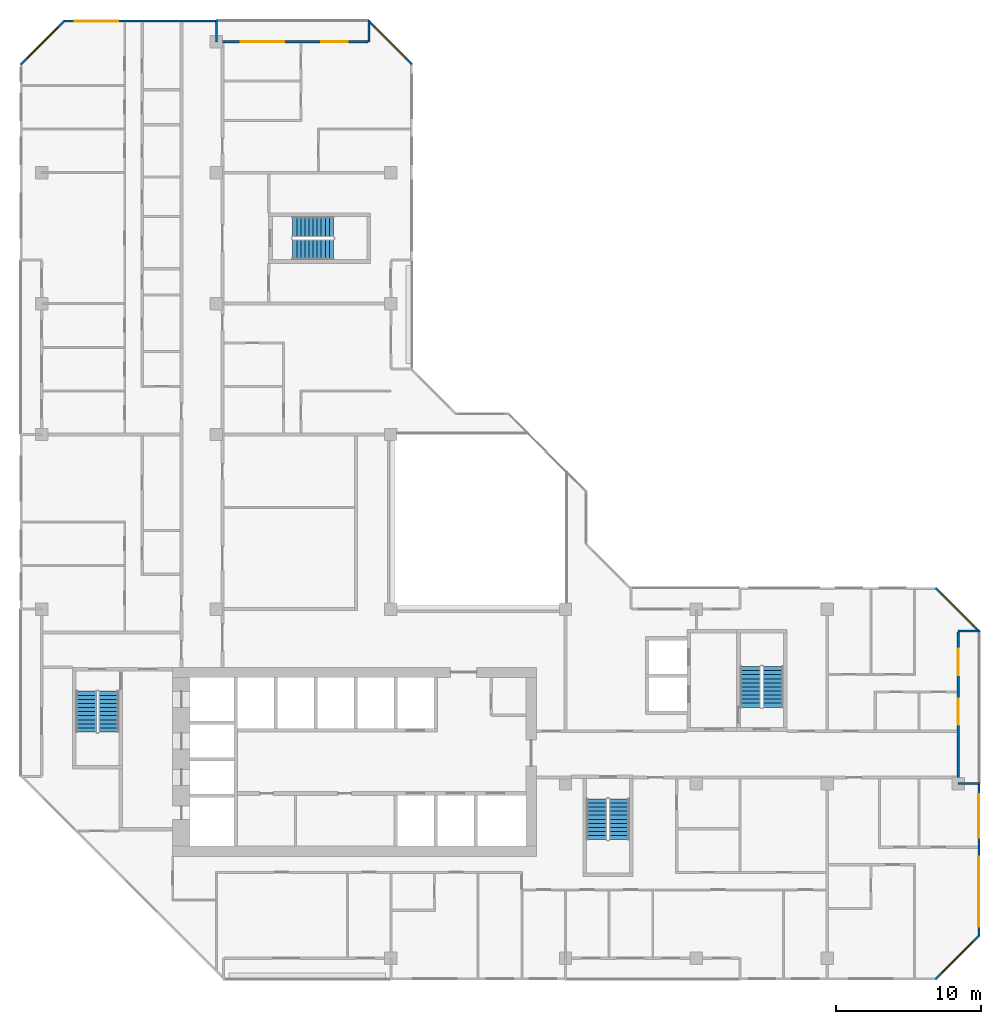
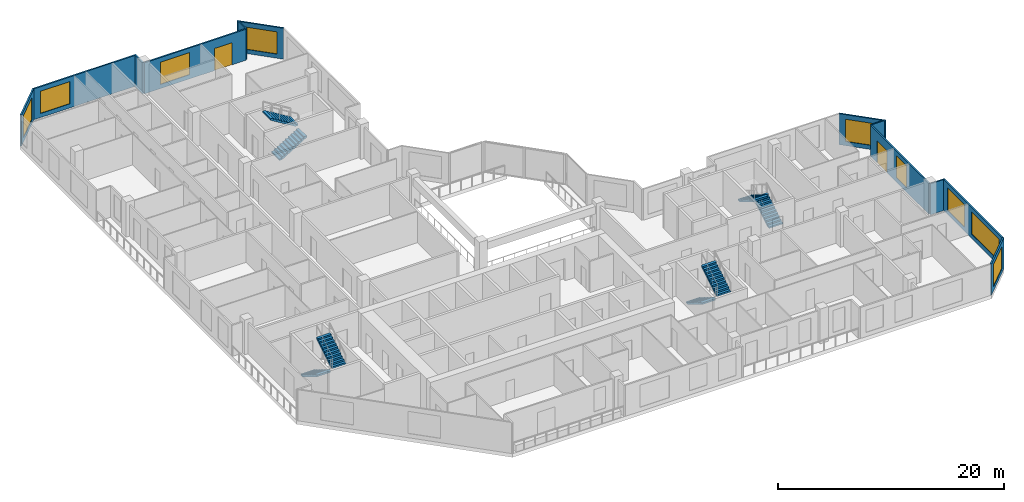
# One storey, part 12 of 14: 12 walls, 9 windows, 8 stair flights, 2 doors, 11 openings, 4 elements without a shape of their own.
"""IFC4 building model written with IfcOpenShell, lengths in metres."""

from ifc_helpers import new_model, si_unit, direction, frame, frame_2d, origin, place, context, subcontext, project, spatial, polyline, rectangle, outline, extrude, material, layer, layer_set, type_object, element, fill, aggregate, save


model = new_model("IFC4")

# Units and contexts
model_context = context("Model", 3, precision=1e-05, world=origin(), true_north=direction((0.0, 1.0)))
body_context = subcontext(model_context, "Body", "Model", "MODEL_VIEW")
ifc_project = project(units=[si_unit("LENGTHUNIT", "METRE"), si_unit("AREAUNIT", "SQUARE_METRE"), si_unit("VOLUMEUNIT", "CUBIC_METRE"), si_unit("PLANEANGLEUNIT", "RADIAN"), si_unit("MASSUNIT", "GRAM", prefix="KILO")], contexts=[model_context])

# Site, building, storey
site_placement = place(None, origin())
site = spatial("IfcSite", under=ifc_project, at=site_placement, CompositionType="ELEMENT")
building_placement = place(site_placement, origin())
building = spatial("IfcBuilding", under=site, at=building_placement, Name="Chenar Terraces", CompositionType="ELEMENT")
storey_placement = place(building_placement, frame((0.0, 0.0, 230.39990234375)))
storey = spatial("IfcBuildingStorey", under=building, at=storey_placement, Name="L54", CompositionType="ELEMENT", Elevation=230.39990234375)

# Wall, opening, window
ifc_material_1 = material(Name="Aluminium framed glazing", Category="aluminium")
ifc_layer_1 = layer(ifc_material_1, 0.14990234375)
ifc_layer_set_1 = layer_set([ifc_layer_1], Name="Aluminium framed glazing")
wall_type_1 = type_object("IfcWallType", Name="Glazed flush facade wall 150", PredefinedType="SOLIDWALL", material=ifc_layer_set_1)
wall_1_placement = place(storey_placement, frame((11.925048828125, 64.425048828125, 0.0), z_axis=(0.0, 0.0, 1.0), x_axis=(-1.0, 0.0, 0.0)))
wall_1 = element("IfcWall", 1, at=wall_1_placement, inside=storey, type_object=wall_type_1, Name="Glazed flush facade wall", PredefinedType="SOLIDWALL", context=body_context, shape_type="SweptSolid", body=[
    extrude(rectangle(XDim=10.425048828125, YDim=0.14990234375, at=frame_2d((5.21240234375, 0.0))), origin(), (0.0, 0.0, 1.0), 3.35009765625),
])
opening_1_placement = place(wall_1_placement, frame((6.675048828125, 0.0, 0.449951171875)))
opening_1 = element("IfcOpeningElement", 2, at=opening_1_placement, cuts=wall_1, Name="Opening W300x240", PredefinedType="OPENING", context=body_context, shape_type="SweptSolid", body=[
    extrude(rectangle(XDim=3.0, YDim=2.39990234375, at=frame_2d((1.5, 1.199951171875))), frame((0.0, 0.0849609375, 0.0), z_axis=(0.0, -1.0, 0.0), x_axis=(1.0, 0.0, 0.0)), (0.0, 0.0, 1.0), 0.169921875),
])
ifc_material_2 = material(Name="Low emissivity double glazing, aluminium frame", Category="aluminium")
window_type_1 = type_object("IfcWindowType", Name="Fixed light 3000 x 2400", PartitioningType="SINGLE_PANEL", PredefinedType="WINDOW", material=ifc_material_2)
window_1_placement = place(opening_1_placement, origin())
window_1 = element("IfcWindow", 3, at=window_1_placement, inside=storey, type_object=window_type_1, Name="Window", OverallHeight=2.39990234375, OverallWidth=3.0, PartitioningType="SINGLE_PANEL", PredefinedType="WINDOW", context=body_context, shape_type="SweptSolid", body=[
    extrude(rectangle(XDim=3.0, YDim=2.39990234375, at=frame_2d((1.5, 1.199951171875))), frame((0.0, 0.030029296875, 0.0), z_axis=(0.0, -1.0, 0.0), x_axis=(1.0, 0.0, 0.0)), (0.0, 0.0, 1.0), 0.06005859375),
])
fill(opening_1, window_1)

# Wall, openings, windows
wall_2_placement = place(storey_placement, frame((64.425048828125, 1.5, 0.0), z_axis=(0.0, 0.0, 1.0), x_axis=(0.0, 1.0, 0.0)))
wall_2 = element("IfcWall", 4, at=wall_2_placement, inside=storey, type_object=wall_type_1, Name="Glazed flush facade wall", PredefinedType="SOLIDWALL", context=body_context, shape_type="SweptSolid", body=[
    extrude(rectangle(XDim=10.425048828125, YDim=0.14990234375, at=frame_2d((5.21240234375, 0.0))), origin(), (0.0, 0.0, 1.0), 3.35009765625),
])
opening_2_placement = place(wall_2_placement, frame((0.66259765625, 0.0, 0.449951171875)))
opening_2 = element("IfcOpeningElement", 5, at=opening_2_placement, cuts=wall_2, Name="Opening W480x240", PredefinedType="OPENING", context=body_context, shape_type="SweptSolid", body=[
    extrude(rectangle(XDim=4.800048828125, YDim=2.39990234375, at=frame_2d((2.39990234375, 1.199951171875))), frame((0.0, 0.0849609375, 0.0), z_axis=(0.0, -1.0, 0.0), x_axis=(1.0, 0.0, 0.0)), (0.0, 0.0, 1.0), 0.169921875),
])
opening_3_placement = place(wall_2_placement, frame((6.77490234375, 0.0, 0.449951171875)))
opening_3 = element("IfcOpeningElement", 6, at=opening_3_placement, cuts=wall_2, Name="Opening W300x240", PredefinedType="OPENING", context=body_context, shape_type="SweptSolid", body=[
    extrude(rectangle(XDim=3.0, YDim=2.39990234375, at=frame_2d((1.5, 1.199951171875))), frame((0.0, 0.0849609375, 0.0), z_axis=(0.0, -1.0, 0.0), x_axis=(1.0, 0.0, 0.0)), (0.0, 0.0, 1.0), 0.169921875),
])
window_2_placement = place(opening_3_placement, origin())
window_2 = element("IfcWindow", 7, at=window_2_placement, inside=storey, type_object=window_type_1, Name="Window", OverallHeight=2.39990234375, OverallWidth=3.0, PartitioningType="SINGLE_PANEL", PredefinedType="WINDOW", context=body_context, shape_type="SweptSolid", body=[
    extrude(rectangle(XDim=3.0, YDim=2.39990234375, at=frame_2d((1.5, 1.199951171875))), frame((0.0, 0.030029296875, 0.0), z_axis=(0.0, -1.0, 0.0), x_axis=(1.0, 0.0, 0.0)), (0.0, 0.0, 1.0), 0.06005859375),
])
fill(opening_3, window_2)
ifc_material_3 = material(Name="Low emissivity double glazing, aluminium frame", Category="aluminium")
window_type_2 = type_object("IfcWindowType", Name="Fixed light 4800 x 2400", PartitioningType="SINGLE_PANEL", PredefinedType="WINDOW", material=ifc_material_3)
window_3_placement = place(opening_2_placement, origin())
window_3 = element("IfcWindow", 8, at=window_3_placement, inside=storey, type_object=window_type_2, Name="Window", OverallHeight=2.39990234375, OverallWidth=4.800048828125, PartitioningType="SINGLE_PANEL", PredefinedType="WINDOW", context=body_context, shape_type="SweptSolid", body=[
    extrude(rectangle(XDim=4.800048828125, YDim=2.39990234375, at=frame_2d((2.39990234375, 1.199951171875))), frame((0.0, 0.030029296875, 0.0), z_axis=(0.0, -1.0, 0.0), x_axis=(1.0, 0.0, 0.0)), (0.0, 0.0, 1.0), 0.06005859375),
])
fill(opening_2, window_3)

# Wall, openings, window, door
ifc_material_4 = material(Name="Aluminium framed glazing", Category="aluminium")
ifc_layer_2 = layer(ifc_material_4, 0.14990234375)
ifc_layer_set_2 = layer_set([ifc_layer_2], Name="Aluminium framed glazing")
wall_type_2 = type_object("IfcWallType", Name="Glazed loggia back wall 150", PredefinedType="SOLIDWALL", material=ifc_layer_set_2)
wall_3_placement = place(storey_placement, frame((22.425048828125, 63.0, 0.0), z_axis=(0.0, 0.0, 1.0), x_axis=(-1.0, 0.0, 0.0)))
wall_3 = element("IfcWall", 9, at=wall_3_placement, inside=storey, type_object=wall_type_2, Name="Glazed loggia back wall", PredefinedType="SOLIDWALL", context=body_context, shape_type="SweptSolid", body=[
    extrude(rectangle(XDim=10.35009765625, YDim=0.14990234375, at=frame_2d((5.175048828125, 0.0))), origin(), (0.0, 0.0, 1.0), 3.35009765625),
])
opening_4_placement = place(wall_3_placement, frame((1.39990234375, 0.0, 0.0)))
opening_4 = element("IfcOpeningElement", 10, at=opening_4_placement, cuts=wall_3, Name="Opening DL54-G2", PredefinedType="OPENING", context=body_context, shape_type="SweptSolid", body=[
    extrude(rectangle(XDim=1.800048828125, YDim=2.39990234375, at=frame_2d((0.89990234375, 1.199951171875))), frame((0.0, 0.0849609375, 0.0), z_axis=(0.0, -1.0, 0.0), x_axis=(1.0, 0.0, 0.0)), (0.0, 0.0, 1.0), 0.169921875),
])
opening_5_placement = place(wall_3_placement, frame((5.75, 0.0, 0.449951171875)))
opening_5 = element("IfcOpeningElement", 11, at=opening_5_placement, cuts=wall_3, Name="Opening W300x240", PredefinedType="OPENING", context=body_context, shape_type="SweptSolid", body=[
    extrude(rectangle(XDim=3.0, YDim=2.39990234375, at=frame_2d((1.5, 1.199951171875))), frame((0.0, 0.0849609375, 0.0), z_axis=(0.0, -1.0, 0.0), x_axis=(1.0, 0.0, 0.0)), (0.0, 0.0, 1.0), 0.169921875),
])
window_4_placement = place(opening_5_placement, origin())
window_4 = element("IfcWindow", 12, at=window_4_placement, inside=storey, type_object=window_type_1, Name="Window", OverallHeight=2.39990234375, OverallWidth=3.0, PartitioningType="SINGLE_PANEL", PredefinedType="WINDOW", context=body_context, shape_type="SweptSolid", body=[
    extrude(rectangle(XDim=3.0, YDim=2.39990234375, at=frame_2d((1.5, 1.199951171875))), frame((0.0, 0.030029296875, 0.0), z_axis=(0.0, -1.0, 0.0), x_axis=(1.0, 0.0, 0.0)), (0.0, 0.0, 1.0), 0.06005859375),
])
fill(opening_5, window_4)
ifc_material_5 = material(Name="Low emissivity double glazing, aluminium frame", Category="aluminium")
door_type = type_object("IfcDoorType", Name="Loggia glazed double door 1800 x 2400", OperationType="DOUBLE_DOOR_SINGLE_SWING", PredefinedType="DOOR", material=ifc_material_5)
door_1_placement = place(opening_4_placement, frame((1.800048828125, 0.0, 0.0), z_axis=(0.0, 0.0, 1.0), x_axis=(-1.0, 0.0, 0.0)))
door_1 = element("IfcDoor", 13, at=door_1_placement, inside=storey, type_object=door_type, Name="Loggia glazed door", OperationType="DOUBLE_DOOR_SINGLE_SWING", OverallHeight=2.39990234375, OverallWidth=1.800048828125, PredefinedType="DOOR", context=body_context, shape_type="SweptSolid", body=[
    extrude(rectangle(XDim=1.800048828125, YDim=2.39990234375, at=frame_2d((0.89990234375, 1.199951171875))), frame((0.0, 0.02490234375, 0.0), z_axis=(0.0, -1.0, 0.0), x_axis=(1.0, 0.0, 0.0)), (0.0, 0.0, 1.0), 0.050048828125),
])
fill(opening_4, door_1)

wall_4_placement = place(storey_placement, frame((63.0, 12.074951171875, 0.0), z_axis=(0.0, 0.0, 1.0), x_axis=(0.0, 1.0, 0.0)))
wall_4 = element("IfcWall", 14, at=wall_4_placement, inside=storey, type_object=wall_type_2, Name="Glazed loggia back wall", PredefinedType="SOLIDWALL", context=body_context, shape_type="SweptSolid", body=[
    extrude(rectangle(XDim=10.35009765625, YDim=0.14990234375, at=frame_2d((5.175048828125, 0.0))), origin(), (0.0, 0.0, 1.0), 3.35009765625),
])
opening_6_placement = place(wall_4_placement, frame((3.97509765625, 0.0, 0.449951171875)))
opening_6 = element("IfcOpeningElement", 15, at=opening_6_placement, cuts=wall_4, Name="Opening W180x240", PredefinedType="OPENING", context=body_context, shape_type="SweptSolid", body=[
    extrude(rectangle(XDim=1.800048828125, YDim=2.39990234375, at=frame_2d((0.89990234375, 1.199951171875))), frame((0.0, 0.0849609375, 0.0), z_axis=(0.0, -1.0, 0.0), x_axis=(1.0, 0.0, 0.0)), (0.0, 0.0, 1.0), 0.169921875),
])
opening_7_placement = place(wall_4_placement, frame((7.387451171875, 0.0, 0.0)))
opening_7 = element("IfcOpeningElement", 16, at=opening_7_placement, cuts=wall_4, Name="Opening DL54-G7", PredefinedType="OPENING", context=body_context, shape_type="SweptSolid", body=[
    extrude(rectangle(XDim=1.800048828125, YDim=2.39990234375, at=frame_2d((0.89990234375, 1.199951171875))), frame((0.0, 0.0849609375, 0.0), z_axis=(0.0, -1.0, 0.0), x_axis=(1.0, 0.0, 0.0)), (0.0, 0.0, 1.0), 0.169921875),
])
ifc_material_6 = material(Name="Low emissivity double glazing, aluminium frame", Category="aluminium")
window_type_3 = type_object("IfcWindowType", Name="Fixed light 1800 x 2400", PartitioningType="SINGLE_PANEL", PredefinedType="WINDOW", material=ifc_material_6)
window_5_placement = place(opening_6_placement, origin())
window_5 = element("IfcWindow", 17, at=window_5_placement, inside=storey, type_object=window_type_3, Name="Window", OverallHeight=2.39990234375, OverallWidth=1.800048828125, PartitioningType="SINGLE_PANEL", PredefinedType="WINDOW", context=body_context, shape_type="SweptSolid", body=[
    extrude(rectangle(XDim=1.800048828125, YDim=2.39990234375, at=frame_2d((0.89990234375, 1.199951171875))), frame((0.0, 0.030029296875, 0.0), z_axis=(0.0, -1.0, 0.0), x_axis=(1.0, 0.0, 0.0)), (0.0, 0.0, 1.0), 0.06005859375),
])
fill(opening_6, window_5)
door_2_placement = place(opening_7_placement, frame((1.800048828125, 0.0, 0.0), z_axis=(0.0, 0.0, 1.0), x_axis=(-1.0, 0.0, 0.0)))
door_2 = element("IfcDoor", 18, at=door_2_placement, inside=storey, type_object=door_type, Name="Loggia glazed door", OperationType="DOUBLE_DOOR_SINGLE_SWING", OverallHeight=2.39990234375, OverallWidth=1.800048828125, PredefinedType="DOOR", context=body_context, shape_type="SweptSolid", body=[
    extrude(rectangle(XDim=1.800048828125, YDim=2.39990234375, at=frame_2d((0.89990234375, 1.199951171875))), frame((0.0, 0.02490234375, 0.0), z_axis=(0.0, -1.0, 0.0), x_axis=(1.0, 0.0, 0.0)), (0.0, 0.0, 1.0), 0.050048828125),
])
fill(opening_7, door_2)

# Walls
ifc_material_7 = material(Name="Terracotta cladding on insulated backing", Category="masonry")
ifc_layer_3 = layer(ifc_material_7, 0.14990234375)
ifc_layer_set_3 = layer_set([ifc_layer_3], Name="Terracotta cladding on insulated backing")
wall_type_3 = type_object("IfcWallType", Name="Loggia return wall 150", PredefinedType="SOLIDWALL", material=ifc_layer_set_3)
for number, where, z_axis, x_axis, name in (
    (19, (22.5, 64.5, 0.0), (0.0, 0.0, 1.0), (0.0, -1.0, 0.0), "Loggia return wall"),
    (20, (12.0, 64.5, 0.0), (0.0, 0.0, 1.0), (0.0, -1.0, 0.0), "Loggia return wall"),
    (21, (64.5, 12.0, 0.0), (0.0, 0.0, 1.0), (-1.0, 0.0, 0.0), "Loggia return wall"),
    (22, (64.5, 22.5, 0.0), (0.0, 0.0, 1.0), (-1.0, 0.0, 0.0), "Loggia return wall"),
):
    element("IfcWall", number, at=place(storey_placement, frame(where, z_axis=z_axis, x_axis=x_axis)), inside=storey, type_object=wall_type_3, Name=name, PredefinedType="SOLIDWALL", context=body_context, shape_type="SweptSolid", body=[
        extrude(rectangle(XDim=1.5, YDim=0.14990234375, at=frame_2d((0.75, 0.0))), origin(), (0.0, 0.0, 1.0), 3.35009765625),
    ])

# Wall, opening, window
ifc_material_8 = material(Name="Terracotta cladding on insulated backing", Category="masonry")
ifc_layer_4 = layer(ifc_material_8, 0.14990234375)
ifc_layer_set_4 = layer_set([ifc_layer_4], Name="Terracotta cladding on insulated backing")
wall_type_4 = type_object("IfcWallType", Name="Terracotta rainscreen wall 150", PredefinedType="SOLIDWALL", material=ifc_layer_set_4)
wall_5_placement = place(storey_placement, frame((25.447021484375, 61.447021484375, 0.0), z_axis=(0.0, 0.0, 1.0), x_axis=(-0.707106781187, 0.707106781187, 0.0)))
wall_5 = element("IfcWall", 23, at=wall_5_placement, inside=storey, type_object=wall_type_4, Name="Terracotta rainscreen wall", PredefinedType="SOLIDWALL", context=body_context, shape_type="SweptSolid", body=[
    extrude(rectangle(XDim=4.24267578125, YDim=0.14990234375, at=frame_2d((2.121337890625, 0.0))), origin(), (0.0, 0.0, 1.0), 3.35009765625),
])
opening_8_placement = place(wall_5_placement, frame((0.621337890625, 0.0, 0.449951171875)))
opening_8 = element("IfcOpeningElement", 24, at=opening_8_placement, cuts=wall_5, Name="Opening W300x240", PredefinedType="OPENING", context=body_context, shape_type="SweptSolid", body=[
    extrude(rectangle(XDim=3.0, YDim=2.39990234375, at=frame_2d((1.5, 1.199951171875))), frame((0.0, 0.0849609375, 0.0), z_axis=(0.0, -1.0, 0.0), x_axis=(1.0, 0.0, 0.0)), (0.0, 0.0, 1.0), 0.169921875),
])
window_6_placement = place(opening_8_placement, origin())
window_6 = element("IfcWindow", 25, at=window_6_placement, inside=storey, type_object=window_type_1, Name="Window", OverallHeight=2.39990234375, OverallWidth=3.0, PartitioningType="SINGLE_PANEL", PredefinedType="WINDOW", context=body_context, shape_type="SweptSolid", body=[
    extrude(rectangle(XDim=3.0, YDim=2.39990234375, at=frame_2d((1.5, 1.199951171875))), frame((0.0, 0.030029296875, 0.0), z_axis=(0.0, -1.0, 0.0), x_axis=(1.0, 0.0, 0.0)), (0.0, 0.0, 1.0), 0.06005859375),
])
fill(opening_8, window_6)

wall_6_placement = place(storey_placement, frame((1.552978515625, 64.447021484375, 0.0), z_axis=(0.0, 0.0, 1.0), x_axis=(-0.707106781187, -0.707106781187, 0.0)))
wall_6 = element("IfcWall", 26, at=wall_6_placement, inside=storey, type_object=wall_type_4, Name="Terracotta rainscreen wall", PredefinedType="SOLIDWALL", context=body_context, shape_type="SweptSolid", body=[
    extrude(rectangle(XDim=4.24267578125, YDim=0.14990234375, at=frame_2d((2.121337890625, 0.0))), origin(), (0.0, 0.0, 1.0), 3.35009765625),
])
opening_9_placement = place(wall_6_placement, frame((0.621337890625, 0.0, 0.449951171875)))
opening_9 = element("IfcOpeningElement", 27, at=opening_9_placement, cuts=wall_6, Name="Opening W300x240", PredefinedType="OPENING", context=body_context, shape_type="SweptSolid", body=[
    extrude(rectangle(XDim=3.0, YDim=2.39990234375, at=frame_2d((1.5, 1.199951171875))), frame((0.0, 0.0849609375, 0.0), z_axis=(0.0, -1.0, 0.0), x_axis=(1.0, 0.0, 0.0)), (0.0, 0.0, 1.0), 0.169921875),
])
window_7_placement = place(opening_9_placement, origin())
window_7 = element("IfcWindow", 28, at=window_7_placement, inside=storey, type_object=window_type_1, Name="Window", OverallHeight=2.39990234375, OverallWidth=3.0, PartitioningType="SINGLE_PANEL", PredefinedType="WINDOW", context=body_context, shape_type="SweptSolid", body=[
    extrude(rectangle(XDim=3.0, YDim=2.39990234375, at=frame_2d((1.5, 1.199951171875))), frame((0.0, 0.030029296875, 0.0), z_axis=(0.0, -1.0, 0.0), x_axis=(1.0, 0.0, 0.0)), (0.0, 0.0, 1.0), 0.06005859375),
])
fill(opening_9, window_7)

wall_7_placement = place(storey_placement, frame((61.447021484375, -1.447021484375, 0.0), z_axis=(0.0, 0.0, 1.0), x_axis=(0.707106781187, 0.707106781187, 0.0)))
wall_7 = element("IfcWall", 29, at=wall_7_placement, inside=storey, type_object=wall_type_4, Name="Terracotta rainscreen wall", PredefinedType="SOLIDWALL", context=body_context, shape_type="SweptSolid", body=[
    extrude(rectangle(XDim=4.24267578125, YDim=0.14990234375, at=frame_2d((2.121337890625, 0.0))), origin(), (0.0, 0.0, 1.0), 3.35009765625),
])
opening_10_placement = place(wall_7_placement, frame((0.621337890625, 0.0, 0.449951171875)))
opening_10 = element("IfcOpeningElement", 30, at=opening_10_placement, cuts=wall_7, Name="Opening W300x240", PredefinedType="OPENING", context=body_context, shape_type="SweptSolid", body=[
    extrude(rectangle(XDim=3.0, YDim=2.39990234375, at=frame_2d((1.5, 1.199951171875))), frame((0.0, 0.0849609375, 0.0), z_axis=(0.0, -1.0, 0.0), x_axis=(1.0, 0.0, 0.0)), (0.0, 0.0, 1.0), 0.169921875),
])
window_8_placement = place(opening_10_placement, origin())
window_8 = element("IfcWindow", 31, at=window_8_placement, inside=storey, type_object=window_type_1, Name="Window", OverallHeight=2.39990234375, OverallWidth=3.0, PartitioningType="SINGLE_PANEL", PredefinedType="WINDOW", context=body_context, shape_type="SweptSolid", body=[
    extrude(rectangle(XDim=3.0, YDim=2.39990234375, at=frame_2d((1.5, 1.199951171875))), frame((0.0, 0.030029296875, 0.0), z_axis=(0.0, -1.0, 0.0), x_axis=(1.0, 0.0, 0.0)), (0.0, 0.0, 1.0), 0.06005859375),
])
fill(opening_10, window_8)

wall_8_placement = place(storey_placement, frame((64.447021484375, 22.447021484375, 0.0), z_axis=(0.0, 0.0, 1.0), x_axis=(-0.707106781187, 0.707106781187, 0.0)))
wall_8 = element("IfcWall", 32, at=wall_8_placement, inside=storey, type_object=wall_type_4, Name="Terracotta rainscreen wall", PredefinedType="SOLIDWALL", context=body_context, shape_type="SweptSolid", body=[
    extrude(rectangle(XDim=4.24267578125, YDim=0.14990234375, at=frame_2d((2.121337890625, 0.0))), origin(), (0.0, 0.0, 1.0), 3.35009765625),
])
opening_11_placement = place(wall_8_placement, frame((0.621337890625, 0.0, 0.449951171875)))
opening_11 = element("IfcOpeningElement", 33, at=opening_11_placement, cuts=wall_8, Name="Opening W300x240", PredefinedType="OPENING", context=body_context, shape_type="SweptSolid", body=[
    extrude(rectangle(XDim=3.0, YDim=2.39990234375, at=frame_2d((1.5, 1.199951171875))), frame((0.0, 0.0849609375, 0.0), z_axis=(0.0, -1.0, 0.0), x_axis=(1.0, 0.0, 0.0)), (0.0, 0.0, 1.0), 0.169921875),
])
window_9_placement = place(opening_11_placement, origin())
window_9 = element("IfcWindow", 34, at=window_9_placement, inside=storey, type_object=window_type_1, Name="Window", OverallHeight=2.39990234375, OverallWidth=3.0, PartitioningType="SINGLE_PANEL", PredefinedType="WINDOW", context=body_context, shape_type="SweptSolid", body=[
    extrude(rectangle(XDim=3.0, YDim=2.39990234375, at=frame_2d((1.5, 1.199951171875))), frame((0.0, 0.030029296875, 0.0), z_axis=(0.0, -1.0, 0.0), x_axis=(1.0, 0.0, 0.0)), (0.0, 0.0, 1.0), 0.06005859375),
])
fill(opening_11, window_9)

# Stair, stair flights
ifc_material_9 = material(Name="Reinforced concrete C40/50", Category="concrete")
stair_type = type_object("IfcStairType", Name="Core stair 1400 half-turn", PredefinedType="HALF_TURN_STAIR", material=ifc_material_9)
placement = place(storey_placement, origin())
stair_1 = element("IfcStair", 35, at=placement, inside=storey, type_object=stair_type, Name="L54 Stair 1", PredefinedType="HALF_TURN_STAIR")
ifc_material_10 = material(Name="Reinforced concrete C40/50", Category="concrete")
stair_flight_type = type_object("IfcStairFlightType", Name="Core stair flight 1400", PredefinedType="STRAIGHT", material=ifc_material_10)
stair_flight_1_placement = place(storey_placement, frame((3.050048828125, 18.35009765625, 0.0), z_axis=(0.0, 0.0, 1.0), x_axis=(0.0, -1.0, 0.0)))
stair_flight_1 = element("IfcStairFlight", 36, at=stair_flight_1_placement, type_object=stair_flight_type, Name="ST1 flight 1", NumberOfRisers=11, NumberOfTreads=10, PredefinedType="STRAIGHT", RiserHeight=0.170454545, TreadLength=0.28, context=body_context, shape_type="SweptSolid", body=[
    extrude(outline(polyline([(-0.0029296875, 0.0), (-0.0029296875, 0.17041015625), (0.0, 0.17041015625), (0.280029296875, 0.17041015625), (0.280029296875, 0.3408203125), (0.56005859375, 0.3408203125), (0.56005859375, 0.511474609375), (0.840087890625, 0.511474609375), (0.840087890625, 0.681884765625), (1.1201171875, 0.681884765625), (1.1201171875, 0.852294921875), (1.39990234375, 0.852294921875), (1.39990234375, 1.022705078125), (1.679931640625, 1.022705078125), (1.679931640625, 1.193115234375), (1.9599609375, 1.193115234375), (1.9599609375, 1.363525390625), (2.239990234375, 1.363525390625), (2.239990234375, 1.5341796875), (2.52001953125, 1.5341796875), (2.52001953125, 1.70458984375), (2.800048828125, 1.70458984375), (2.802978515625, 1.70458984375), (2.802978515625, 1.529052734375), (2.800048828125, 1.529052734375), (0.288330078125, 0.0), (-0.0029296875, 0.0)])), frame((0.0, 0.699951171875, 0.0), z_axis=(0.0, -1.0, 0.0), x_axis=(1.0, 0.0, 0.0)), (0.0, 0.0, 1.0), 1.39990234375),
])
stair_flight_2_placement = place(storey_placement, frame((4.60009765625, 15.550048828125, 1.875), z_axis=(0.0, 0.0, 1.0), x_axis=(0.0, 1.0, 0.0)))
stair_flight_2 = element("IfcStairFlight", 37, at=stair_flight_2_placement, type_object=stair_flight_type, Name="ST1 flight 2", NumberOfRisers=11, NumberOfTreads=10, PredefinedType="STRAIGHT", RiserHeight=0.170454545, TreadLength=0.28, context=body_context, shape_type="SweptSolid", body=[
    extrude(outline(polyline([(-0.0029296875, 0.0), (-0.0029296875, 0.17041015625), (0.0, 0.17041015625), (0.280029296875, 0.17041015625), (0.280029296875, 0.3408203125), (0.56005859375, 0.3408203125), (0.56005859375, 0.511474609375), (0.840087890625, 0.511474609375), (0.840087890625, 0.681884765625), (1.1201171875, 0.681884765625), (1.1201171875, 0.852294921875), (1.39990234375, 0.852294921875), (1.39990234375, 1.022705078125), (1.679931640625, 1.022705078125), (1.679931640625, 1.193115234375), (1.9599609375, 1.193115234375), (1.9599609375, 1.363525390625), (2.239990234375, 1.363525390625), (2.239990234375, 1.5341796875), (2.52001953125, 1.5341796875), (2.52001953125, 1.70458984375), (2.800048828125, 1.70458984375), (2.802978515625, 1.70458984375), (2.802978515625, 1.529052734375), (2.800048828125, 1.529052734375), (0.288330078125, 0.0), (-0.0029296875, 0.0)])), frame((0.0, 0.699951171875, 0.0), z_axis=(0.0, -1.0, 0.0), x_axis=(1.0, 0.0, 0.0)), (0.0, 0.0, 1.0), 1.39990234375),
])
aggregate(stair_1, [stair_flight_1, stair_flight_2])

stair_2 = element("IfcStair", 38, at=placement, inside=storey, type_object=stair_type, Name="L54 Stair 2", PredefinedType="HALF_TURN_STAIR")
stair_flight_3_placement = place(storey_placement, frame((38.14990234375, 10.949951171875, 0.0), z_axis=(0.0, 0.0, 1.0), x_axis=(0.0, -1.0, 0.0)))
stair_flight_3 = element("IfcStairFlight", 39, at=stair_flight_3_placement, type_object=stair_flight_type, Name="ST2 flight 1", NumberOfRisers=11, NumberOfTreads=10, PredefinedType="STRAIGHT", RiserHeight=0.170454545, TreadLength=0.28, context=body_context, shape_type="SweptSolid", body=[
    extrude(outline(polyline([(-0.0029296875, 0.0), (-0.0029296875, 0.17041015625), (0.0, 0.17041015625), (0.280029296875, 0.17041015625), (0.280029296875, 0.3408203125), (0.56005859375, 0.3408203125), (0.56005859375, 0.511474609375), (0.840087890625, 0.511474609375), (0.840087890625, 0.681884765625), (1.1201171875, 0.681884765625), (1.1201171875, 0.852294921875), (1.39990234375, 0.852294921875), (1.39990234375, 1.022705078125), (1.679931640625, 1.022705078125), (1.679931640625, 1.193115234375), (1.9599609375, 1.193115234375), (1.9599609375, 1.363525390625), (2.239990234375, 1.363525390625), (2.239990234375, 1.5341796875), (2.52001953125, 1.5341796875), (2.52001953125, 1.70458984375), (2.800048828125, 1.70458984375), (2.802978515625, 1.70458984375), (2.802978515625, 1.529052734375), (2.800048828125, 1.529052734375), (0.288330078125, 0.0), (-0.0029296875, 0.0)])), frame((0.0, 0.699951171875, 0.0), z_axis=(0.0, -1.0, 0.0), x_axis=(1.0, 0.0, 0.0)), (0.0, 0.0, 1.0), 1.39990234375),
])
stair_flight_4_placement = place(storey_placement, frame((39.699951171875, 8.14990234375, 1.875), z_axis=(0.0, 0.0, 1.0), x_axis=(0.0, 1.0, 0.0)))
stair_flight_4 = element("IfcStairFlight", 40, at=stair_flight_4_placement, type_object=stair_flight_type, Name="ST2 flight 2", NumberOfRisers=11, NumberOfTreads=10, PredefinedType="STRAIGHT", RiserHeight=0.170454545, TreadLength=0.28, context=body_context, shape_type="SweptSolid", body=[
    extrude(outline(polyline([(-0.0029296875, 0.0), (-0.0029296875, 0.17041015625), (0.0, 0.17041015625), (0.280029296875, 0.17041015625), (0.280029296875, 0.3408203125), (0.56005859375, 0.3408203125), (0.56005859375, 0.511474609375), (0.840087890625, 0.511474609375), (0.840087890625, 0.681884765625), (1.1201171875, 0.681884765625), (1.1201171875, 0.852294921875), (1.39990234375, 0.852294921875), (1.39990234375, 1.022705078125), (1.679931640625, 1.022705078125), (1.679931640625, 1.193115234375), (1.9599609375, 1.193115234375), (1.9599609375, 1.363525390625), (2.239990234375, 1.363525390625), (2.239990234375, 1.5341796875), (2.52001953125, 1.5341796875), (2.52001953125, 1.70458984375), (2.800048828125, 1.70458984375), (2.802978515625, 1.70458984375), (2.802978515625, 1.529052734375), (2.800048828125, 1.529052734375), (0.288330078125, 0.0), (-0.0029296875, 0.0)])), frame((0.0, 0.699951171875, 0.0), z_axis=(0.0, -1.0, 0.0), x_axis=(1.0, 0.0, 0.0)), (0.0, 0.0, 1.0), 1.39990234375),
])
aggregate(stair_2, [stair_flight_3, stair_flight_4])

stair_3 = element("IfcStair", 41, at=placement, inside=storey, type_object=stair_type, Name="L54 Stair 3", PredefinedType="HALF_TURN_STAIR")
stair_flight_5_placement = place(storey_placement, frame((50.27490234375, 17.25, 0.0), z_axis=(0.0, 0.0, 1.0), x_axis=(0.0, 1.0, 0.0)))
stair_flight_5 = element("IfcStairFlight", 42, at=stair_flight_5_placement, type_object=stair_flight_type, Name="ST3 flight 1", NumberOfRisers=11, NumberOfTreads=10, PredefinedType="STRAIGHT", RiserHeight=0.170454545, TreadLength=0.28, context=body_context, shape_type="SweptSolid", body=[
    extrude(outline(polyline([(-0.0029296875, 0.0), (-0.0029296875, 0.17041015625), (0.0, 0.17041015625), (0.280029296875, 0.17041015625), (0.280029296875, 0.3408203125), (0.56005859375, 0.3408203125), (0.56005859375, 0.511474609375), (0.840087890625, 0.511474609375), (0.840087890625, 0.681884765625), (1.1201171875, 0.681884765625), (1.1201171875, 0.852294921875), (1.39990234375, 0.852294921875), (1.39990234375, 1.022705078125), (1.679931640625, 1.022705078125), (1.679931640625, 1.193115234375), (1.9599609375, 1.193115234375), (1.9599609375, 1.363525390625), (2.239990234375, 1.363525390625), (2.239990234375, 1.5341796875), (2.52001953125, 1.5341796875), (2.52001953125, 1.70458984375), (2.800048828125, 1.70458984375), (2.802978515625, 1.70458984375), (2.802978515625, 1.529052734375), (2.800048828125, 1.529052734375), (0.288330078125, 0.0), (-0.0029296875, 0.0)])), frame((0.0, 0.699951171875, 0.0), z_axis=(0.0, -1.0, 0.0), x_axis=(1.0, 0.0, 0.0)), (0.0, 0.0, 1.0), 1.39990234375),
])
stair_flight_6_placement = place(storey_placement, frame((48.72509765625, 20.050048828125, 1.875), z_axis=(0.0, 0.0, 1.0), x_axis=(0.0, -1.0, 0.0)))
stair_flight_6 = element("IfcStairFlight", 43, at=stair_flight_6_placement, type_object=stair_flight_type, Name="ST3 flight 2", NumberOfRisers=11, NumberOfTreads=10, PredefinedType="STRAIGHT", RiserHeight=0.170454545, TreadLength=0.28, context=body_context, shape_type="SweptSolid", body=[
    extrude(outline(polyline([(-0.0029296875, 0.0), (-0.0029296875, 0.17041015625), (0.0, 0.17041015625), (0.280029296875, 0.17041015625), (0.280029296875, 0.3408203125), (0.56005859375, 0.3408203125), (0.56005859375, 0.511474609375), (0.840087890625, 0.511474609375), (0.840087890625, 0.681884765625), (1.1201171875, 0.681884765625), (1.1201171875, 0.852294921875), (1.39990234375, 0.852294921875), (1.39990234375, 1.022705078125), (1.679931640625, 1.022705078125), (1.679931640625, 1.193115234375), (1.9599609375, 1.193115234375), (1.9599609375, 1.363525390625), (2.239990234375, 1.363525390625), (2.239990234375, 1.5341796875), (2.52001953125, 1.5341796875), (2.52001953125, 1.70458984375), (2.800048828125, 1.70458984375), (2.802978515625, 1.70458984375), (2.802978515625, 1.529052734375), (2.800048828125, 1.529052734375), (0.288330078125, 0.0), (-0.0029296875, 0.0)])), frame((0.0, 0.699951171875, 0.0), z_axis=(0.0, -1.0, 0.0), x_axis=(1.0, 0.0, 0.0)), (0.0, 0.0, 1.0), 1.39990234375),
])
aggregate(stair_3, [stair_flight_5, stair_flight_6])

stair_4 = element("IfcStair", 44, at=placement, inside=storey, type_object=stair_type, Name="L54 Stair 4", PredefinedType="HALF_TURN_STAIR")
stair_flight_7_placement = place(storey_placement, frame((17.25, 48.72509765625, 0.0), z_axis=(0.0, 0.0, 1.0), x_axis=(1.0, 0.0, 0.0)))
stair_flight_7 = element("IfcStairFlight", 45, at=stair_flight_7_placement, type_object=stair_flight_type, Name="ST4 flight 1", NumberOfRisers=11, NumberOfTreads=10, PredefinedType="STRAIGHT", RiserHeight=0.170454545, TreadLength=0.28, context=body_context, shape_type="SweptSolid", body=[
    extrude(outline(polyline([(-0.0029296875, 0.0), (-0.0029296875, 0.17041015625), (0.0, 0.17041015625), (0.280029296875, 0.17041015625), (0.280029296875, 0.3408203125), (0.56005859375, 0.3408203125), (0.56005859375, 0.511474609375), (0.840087890625, 0.511474609375), (0.840087890625, 0.681884765625), (1.1201171875, 0.681884765625), (1.1201171875, 0.852294921875), (1.39990234375, 0.852294921875), (1.39990234375, 1.022705078125), (1.679931640625, 1.022705078125), (1.679931640625, 1.193115234375), (1.9599609375, 1.193115234375), (1.9599609375, 1.363525390625), (2.239990234375, 1.363525390625), (2.239990234375, 1.5341796875), (2.52001953125, 1.5341796875), (2.52001953125, 1.70458984375), (2.800048828125, 1.70458984375), (2.802978515625, 1.70458984375), (2.802978515625, 1.529052734375), (2.800048828125, 1.529052734375), (0.288330078125, 0.0), (-0.0029296875, 0.0)])), frame((0.0, 0.699951171875, 0.0), z_axis=(0.0, -1.0, 0.0), x_axis=(1.0, 0.0, 0.0)), (0.0, 0.0, 1.0), 1.39990234375),
])
stair_flight_8_placement = place(storey_placement, frame((20.050048828125, 50.27490234375, 1.875), z_axis=(0.0, 0.0, 1.0), x_axis=(-1.0, 0.0, 0.0)))
stair_flight_8 = element("IfcStairFlight", 46, at=stair_flight_8_placement, type_object=stair_flight_type, Name="ST4 flight 2", NumberOfRisers=11, NumberOfTreads=10, PredefinedType="STRAIGHT", RiserHeight=0.170454545, TreadLength=0.28, context=body_context, shape_type="SweptSolid", body=[
    extrude(outline(polyline([(-0.0029296875, 0.0), (-0.0029296875, 0.17041015625), (0.0, 0.17041015625), (0.280029296875, 0.17041015625), (0.280029296875, 0.3408203125), (0.56005859375, 0.3408203125), (0.56005859375, 0.511474609375), (0.840087890625, 0.511474609375), (0.840087890625, 0.681884765625), (1.1201171875, 0.681884765625), (1.1201171875, 0.852294921875), (1.39990234375, 0.852294921875), (1.39990234375, 1.022705078125), (1.679931640625, 1.022705078125), (1.679931640625, 1.193115234375), (1.9599609375, 1.193115234375), (1.9599609375, 1.363525390625), (2.239990234375, 1.363525390625), (2.239990234375, 1.5341796875), (2.52001953125, 1.5341796875), (2.52001953125, 1.70458984375), (2.800048828125, 1.70458984375), (2.802978515625, 1.70458984375), (2.802978515625, 1.529052734375), (2.800048828125, 1.529052734375), (0.288330078125, 0.0), (-0.0029296875, 0.0)])), frame((0.0, 0.699951171875, 0.0), z_axis=(0.0, -1.0, 0.0), x_axis=(1.0, 0.0, 0.0)), (0.0, 0.0, 1.0), 1.39990234375),
])
aggregate(stair_4, [stair_flight_7, stair_flight_8])

save(model, "model.ifc")
